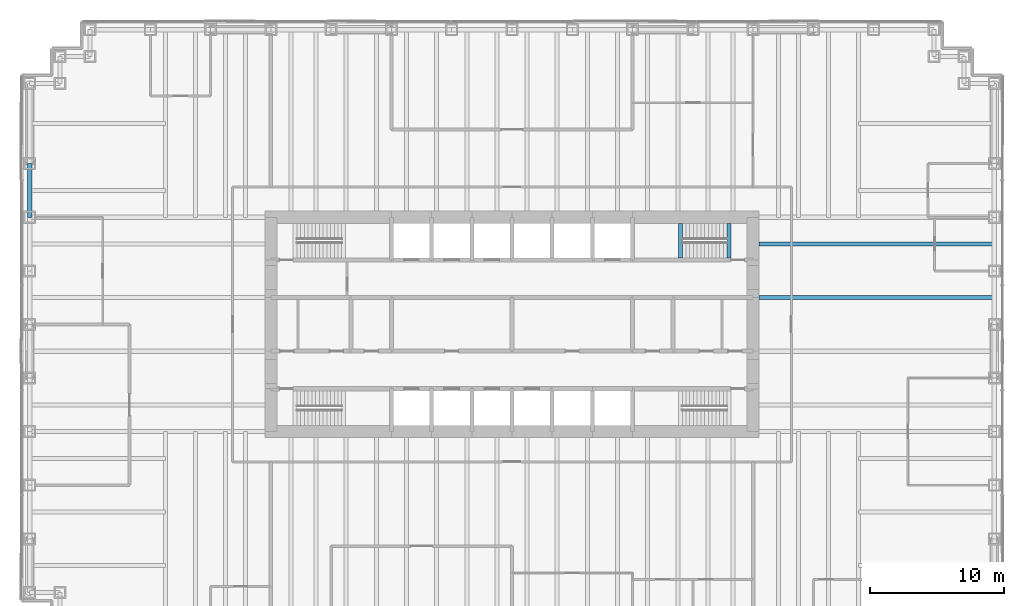
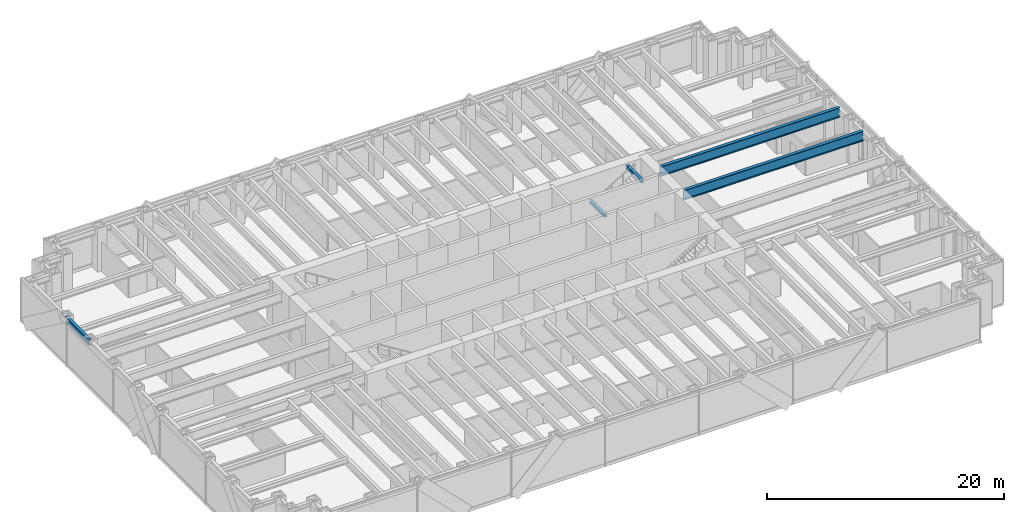
# One storey, part 4 of 13: 5 beams.
"""IFC4 building model written with IfcOpenShell, lengths in metres."""

from ifc_helpers import new_model, si_unit, direction, frame, origin, origin_2d, place, context, subcontext, project, spatial, i_section, extrude, material, material_profile, profile_set, type_object, element, save


model = new_model("IFC4")

# Units and contexts
model_context = context("Model", 3, precision=1e-05, world=origin(), true_north=direction((0.0, 1.0)))
body_context = subcontext(model_context, "Body", "Model", "MODEL_VIEW")
ifc_project = project(units=[si_unit("LENGTHUNIT", "METRE"), si_unit("AREAUNIT", "SQUARE_METRE"), si_unit("VOLUMEUNIT", "CUBIC_METRE"), si_unit("PLANEANGLEUNIT", "RADIAN"), si_unit("MASSUNIT", "GRAM", prefix="KILO")], contexts=[model_context])

# Site, building, storey
site_placement = place(None, origin())
site = spatial("IfcSite", under=ifc_project, at=site_placement, CompositionType="ELEMENT")
building_placement = place(site_placement, origin())
building = spatial("IfcBuilding", under=site, at=building_placement, Name="Rheinbord Bourse Tower", CompositionType="ELEMENT")
storey_placement = place(building_placement, frame((0.0, 0.0, 81.5)))
storey = spatial("IfcBuildingStorey", under=building, at=storey_placement, Name="L17", CompositionType="ELEMENT", Elevation=81.5)

# Beams
ifc_material_1 = material(Name="Steel S460", Category="steel")
ifc_material_profile_1 = material_profile(ifc_material_1, i_section(OverallWidth=0.302001953125, OverallDepth=1.008056640625, WebThickness=0.02099609375, FlangeThickness=0.0400390625, at=origin_2d()), Name="HEM 1000")
ifc_profile_set_1 = profile_set([ifc_material_profile_1], Name="Steel S460")
beam_type_1 = type_object("IfcBeamType", Name="END BEAM HEM 1000", PredefinedType="BEAM", material=ifc_profile_set_1)
for number, where, z_axis, x_axis, name in (
    (1, (54.449951171875, 26.0, 3.81591796875), (1.0, 0.0, 0.0), (0.0, 1.0, 0.0), "End beam east 26 L18"),
    (2, (54.449951171875, 30.0, 3.81591796875), (1.0, 0.0, 0.0), (0.0, 1.0, 0.0), "End beam east 30 L18"),
):
    element("IfcBeam", number, at=place(storey_placement, frame(where, z_axis=z_axis, x_axis=x_axis)), inside=storey, type_object=beam_type_1, Name=name, PredefinedType="BEAM", context=body_context, shape_type="SweptSolid", body=[
        extrude(i_section(OverallWidth=0.302001953125, OverallDepth=1.008056640625, WebThickness=0.02099609375, FlangeThickness=0.0400390625, at=origin_2d()), origin(), (0.0, 0.0, 1.0), 17.550048828125),
    ])
ifc_material_2 = material(Name="Steel S460", Category="steel")
ifc_material_profile_2 = material_profile(ifc_material_2, i_section(OverallWidth=0.300048828125, OverallDepth=0.300048828125, WebThickness=0.010986328125, FlangeThickness=0.01904296875, at=origin_2d()), Name="HEB 300")
ifc_profile_set_2 = profile_set([ifc_material_profile_2], Name="Steel S460")
beam_type_2 = type_object("IfcBeamType", Name="LANDING TRIMMER HEB 300", PredefinedType="BEAM", material=ifc_profile_set_2)
for number, where, z_axis, x_axis, name in (
    (3, (48.590087890625, 28.949951171875, 1.89990234375), (0.0, 1.0, 0.0), (-1.0, 0.0, 0.0), "Landing trimmer ST4 L17"),
    (4, (52.199951171875, 28.949951171875, 4.169921875), (0.0, 1.0, 0.0), (-1.0, 0.0, 0.0), "Well trimmer ST4 under L18"),
):
    element("IfcBeam", number, at=place(storey_placement, frame(where, z_axis=z_axis, x_axis=x_axis)), inside=storey, type_object=beam_type_2, Name=name, PredefinedType="BEAM", context=body_context, shape_type="SweptSolid", body=[
        extrude(i_section(OverallWidth=0.300048828125, OverallDepth=0.300048828125, WebThickness=0.010986328125, FlangeThickness=0.01904296875, at=origin_2d()), origin(), (0.0, 0.0, 1.0), 2.60009765625),
    ])
ifc_material_3 = material(Name="Steel S460", Category="steel")
ifc_material_profile_3 = material_profile(ifc_material_3, i_section(OverallWidth=0.304931640625, OverallDepth=0.6201171875, WebThickness=0.02099609375, FlangeThickness=0.0400390625, at=origin_2d()), Name="HEM 600")
ifc_profile_set_3 = profile_set([ifc_material_profile_3], Name="Steel S460")
beam_type_3 = type_object("IfcBeamType", Name="SPANDREL HEM 600", PredefinedType="SPANDREL", material=ifc_profile_set_3)
beam_placement = place(storey_placement, frame((0.0, 36.0, 4.010009765625), z_axis=(0.0, -1.0, 0.0), x_axis=(1.0, 0.0, 0.0)))
element("IfcBeam", 5, at=beam_placement, inside=storey, type_object=beam_type_3, Name="Spandrel W-36-W-32 under L18", PredefinedType="SPANDREL", context=body_context, shape_type="SweptSolid", body=[
    extrude(i_section(OverallWidth=0.304931640625, OverallDepth=0.6201171875, WebThickness=0.02099609375, FlangeThickness=0.0400390625, at=origin_2d()), origin(), (0.0, 0.0, 1.0), 4.0),
])

save(model, "model.ifc")
